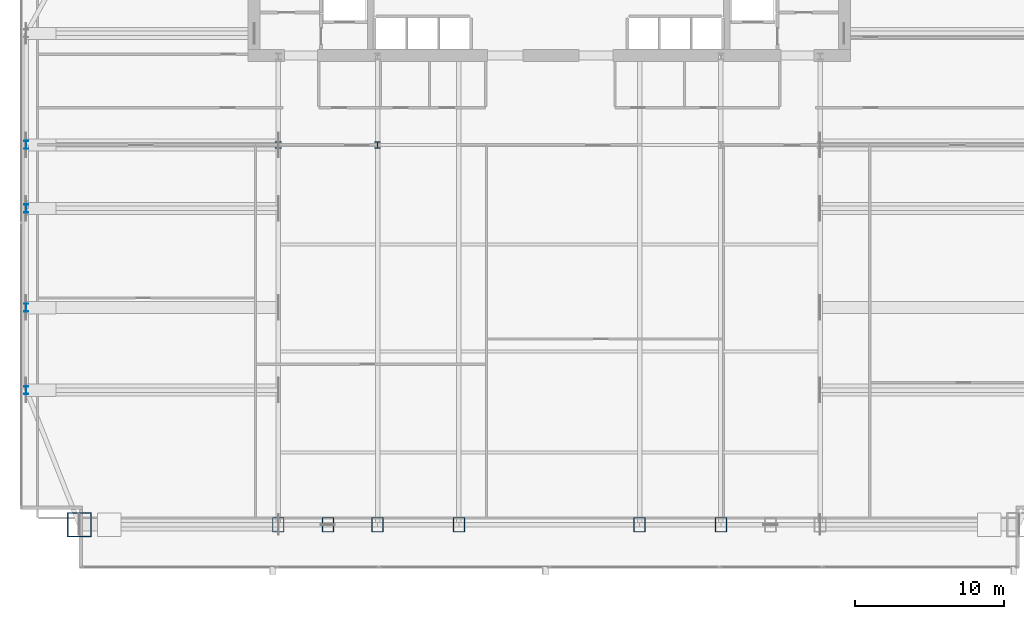
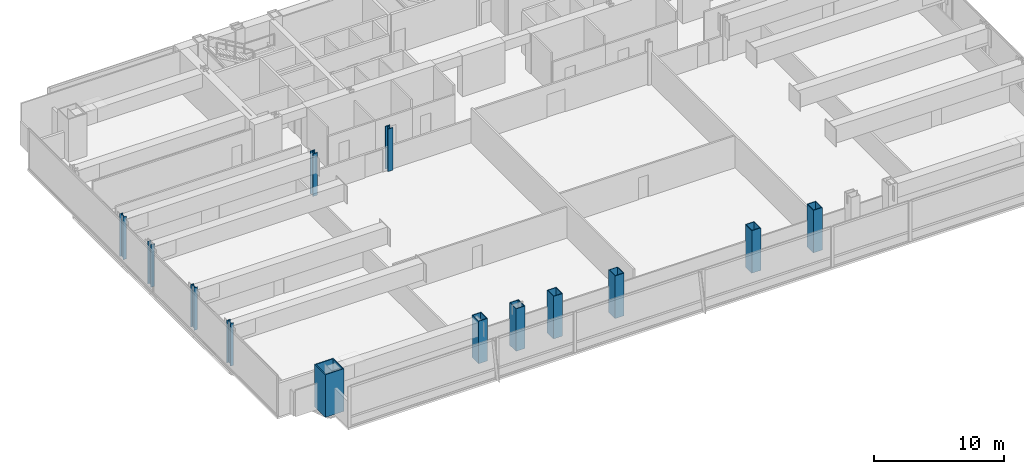
# One storey, part 1 of 32: 13 columns.
"""IFC4 building model written with IfcOpenShell, lengths in metres."""

from ifc_helpers import new_model, si_unit, direction, frame, origin, origin_2d, place, context, subcontext, project, spatial, hollow_rectangle, i_section, extrude, material, material_profile, profile_set, type_object, element, save


model = new_model("IFC4")

# Units and contexts
model_context = context("Model", 3, precision=1e-05, world=origin(), true_north=direction((0.0, 1.0)))
body_context = subcontext(model_context, "Body", "Model", "MODEL_VIEW")
ifc_project = project(units=[si_unit("LENGTHUNIT", "METRE"), si_unit("AREAUNIT", "SQUARE_METRE"), si_unit("VOLUMEUNIT", "CUBIC_METRE"), si_unit("PLANEANGLEUNIT", "RADIAN"), si_unit("MASSUNIT", "GRAM", prefix="KILO")], contexts=[model_context])

# Site, building, storey
site_placement = place(None, origin())
site = spatial("IfcSite", under=ifc_project, at=site_placement, CompositionType="ELEMENT")
building_placement = place(site_placement, origin())
building = spatial("IfcBuilding", under=site, at=building_placement, Name="Khoronbel Lancet Exchange", CompositionType="ELEMENT")
storey_placement = place(building_placement, frame((0.0, 0.0, 77.800048828125)))
storey = spatial("IfcBuildingStorey", under=building, at=storey_placement, Name="L18", CompositionType="ELEMENT", Elevation=77.800048828125)

# Columns
ifc_material_1 = material(Name="Steel S460", Category="steel")
ifc_material_profile_1 = material_profile(ifc_material_1, hollow_rectangle(XDim=0.800048828125, YDim=1.0, WallThickness=0.054931640625, at=origin_2d()), Name="BOX 1000x800x55")
ifc_profile_set_1 = profile_set([ifc_material_profile_1], Name="Steel S460")
column_type_1 = type_object("IfcColumnType", Name="COL-EC1", PredefinedType="COLUMN", material=ifc_profile_set_1)
for number, where, z_axis, x_axis, name in (
    (1, (18.22509765625, 10.14990234375, 0.0), (0.0, 0.0, 1.0), (1.0, 0.0, 0.0), "Structural column SC-W1 L18"),
    (2, (21.5625, 10.14990234375, 0.0), (0.0, 0.0, 1.0), (1.0, 0.0, 0.0), "Structural column SC-WM L18"),
    (3, (24.89990234375, 10.14990234375, 0.0), (0.0, 0.0, 1.0), (1.0, 0.0, 0.0), "Structural column SC-W2 L18"),
    (4, (30.375, 10.14990234375, 0.0), (0.0, 0.0, 1.0), (1.0, 0.0, 0.0), "Structural column SC-C1 L18"),
    (5, (42.52490234375, 10.14990234375, 0.0), (0.0, 0.0, 1.0), (1.0, 0.0, 0.0), "Structural column SC-C2 L18"),
    (6, (48.0, 10.14990234375, 0.0), (0.0, 0.0, 1.0), (1.0, 0.0, 0.0), "Structural column SC-E1 L18"),
):
    element("IfcColumn", number, at=place(storey_placement, frame(where, z_axis=z_axis, x_axis=x_axis)), inside=storey, type_object=column_type_1, Name=name, PredefinedType="COLUMN", context=body_context, shape_type="SweptSolid", body=[
        extrude(hollow_rectangle(XDim=0.800048828125, YDim=1.0, WallThickness=0.054931640625, at=origin_2d()), origin(), (0.0, 0.0, 1.0), 4.0),
    ])
ifc_material_profile_2 = material_profile(ifc_material_1, i_section(OverallWidth=0.424072265625, OverallDepth=0.47412109375, WebThickness=0.047607421875, FlangeThickness=0.076904296875, at=origin_2d()), Name="HD 400x634")
ifc_profile_set_2 = profile_set([ifc_material_profile_2], Name="Steel S460")
column_type_2 = type_object("IfcColumnType", Name="COL-IC1", PredefinedType="COLUMN", material=ifc_profile_set_2)
for number, where, z_axis, x_axis, name in (
    (7, (18.22509765625, 35.699951171875, 0.0), (0.0, 0.0, 1.0), (1.0, 0.0, 0.0), "Spine gravity column TC1 L18"),
    (8, (24.89990234375, 35.699951171875, 0.0), (0.0, 0.0, 1.0), (1.0, 0.0, 0.0), "Spine gravity column TC2 L18"),
):
    element("IfcColumn", number, at=place(storey_placement, frame(where, z_axis=z_axis, x_axis=x_axis)), inside=storey, type_object=column_type_2, Name=name, PredefinedType="COLUMN", context=body_context, shape_type="SweptSolid", body=[
        extrude(i_section(OverallWidth=0.424072265625, OverallDepth=0.47412109375, WebThickness=0.047607421875, FlangeThickness=0.076904296875, at=origin_2d()), origin(), (0.0, 0.0, 1.0), 4.0),
    ])
ifc_material_2 = material(Name="Steel S355", Category="steel")
ifc_material_profile_3 = material_profile(ifc_material_2, i_section(OverallWidth=0.300048828125, OverallDepth=0.550048828125, WebThickness=0.014892578125, FlangeThickness=0.029052734375, at=origin_2d()), Name="HEB 550")
ifc_profile_set_3 = profile_set([ifc_material_profile_3], Name="Steel S355")
column_type_3 = type_object("IfcColumnType", Name="COL-LC1", PredefinedType="COLUMN", material=ifc_profile_set_3)
for number, where, z_axis, x_axis, name in (
    (9, (1.27001953125, 19.199951171875, 0.0), (0.0, 0.0, 1.0), (1.0, 0.0, 0.0), "Structural column WC-1 L18"),
    (10, (1.27001953125, 24.75, 0.0), (0.0, 0.0, 1.0), (1.0, 0.0, 0.0), "Structural column WC-2 L18"),
    (11, (1.27001953125, 31.425048828125, 0.0), (0.0, 0.0, 1.0), (1.0, 0.0, 0.0), "Structural column WC-M L18"),
    (12, (1.27001953125, 35.699951171875, 0.0), (0.0, 0.0, 1.0), (1.0, 0.0, 0.0), "Structural column WC-3 L18"),
):
    element("IfcColumn", number, at=place(storey_placement, frame(where, z_axis=z_axis, x_axis=x_axis)), inside=storey, type_object=column_type_3, Name=name, PredefinedType="COLUMN", context=body_context, shape_type="SweptSolid", body=[
        extrude(i_section(OverallWidth=0.300048828125, OverallDepth=0.550048828125, WebThickness=0.014892578125, FlangeThickness=0.029052734375, at=origin_2d()), origin(), (0.0, 0.0, 1.0), 4.0),
    ])
ifc_material_profile_4 = material_profile(ifc_material_1, hollow_rectangle(XDim=1.64990234375, YDim=1.64990234375, WallThickness=0.074951171875, at=origin_2d()), Name="BOX 1650x1650x75")
ifc_profile_set_4 = profile_set([ifc_material_profile_4], Name="Steel S460")
column_type_4 = type_object("IfcColumnType", Name="COL-MC2", PredefinedType="COLUMN", material=ifc_profile_set_4)
column_placement = place(storey_placement, frame((4.85009765625, 10.14990234375, 0.0), z_axis=(0.0, 0.0, 1.0), x_axis=(1.0, 0.0, 0.0)))
element("IfcColumn", 13, at=column_placement, inside=storey, type_object=column_type_4, Name="Structural column MC-SW L18", PredefinedType="COLUMN", context=body_context, shape_type="SweptSolid", body=[
    extrude(hollow_rectangle(XDim=1.64990234375, YDim=1.64990234375, WallThickness=0.074951171875, at=origin_2d()), origin(), (0.0, 0.0, 1.0), 4.0),
])

save(model, "model.ifc")
